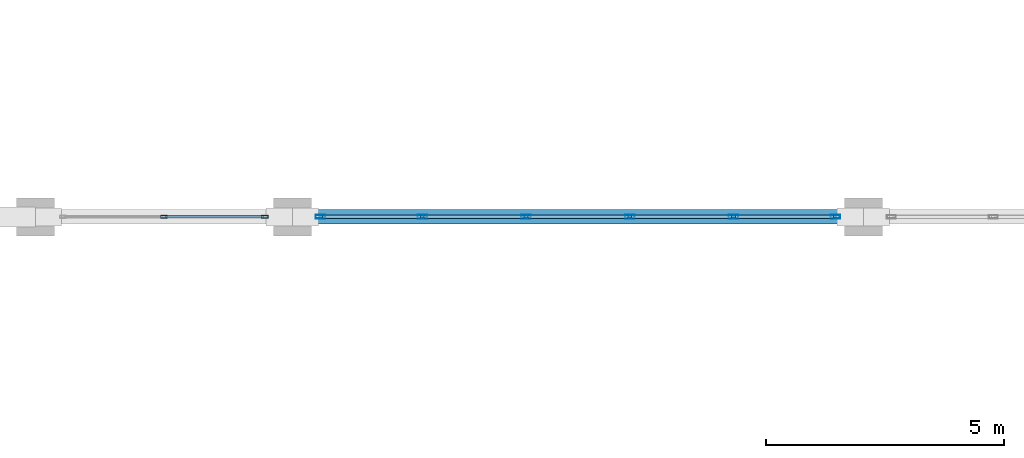
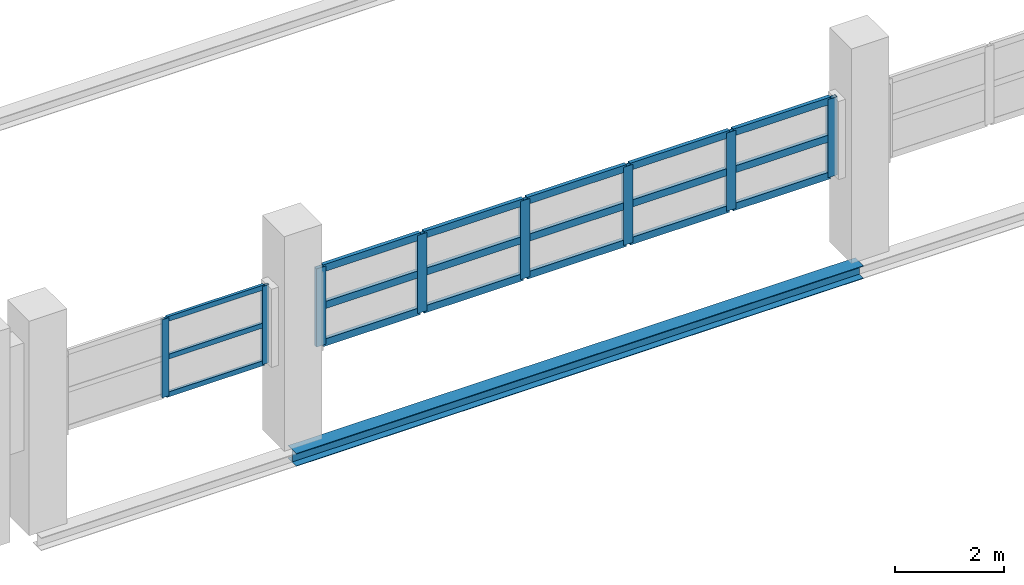
# One storey, part 57 of 86: 26 members, 1 beam, 2 elements without a shape of their own.
"""IFC4 building model written with IfcOpenShell, lengths in metres."""

import ifcopenshell
import ifcopenshell.guid

model = None  # the IFC model being written
_history = None  # IfcOwnerHistory: only IFC2X3 demands one
_inside = {}  # id of a spatial element -> (the spatial element, [elements in it])
_under = {}  # id of a project, library or spatial element -> (it, [spatial elements below it])
_declared = {}  # id of a project -> (the project, [libraries it declares])
_typed = {}  # id of a type object -> (the type object, [elements of that type])
_made_of = {}  # id of a material, layer set ... -> (it, [elements and type objects made of it])


def new_model(schema):
    """Start an empty IFC model of exactly this schema.

    Asked for "IFC4X3", IfcOpenShell would pick the latest addendum, in which some entities
    have other attributes; the version numbers below select the first issue.
    IFC2X3 requires an IfcOwnerHistory on every rooted entity: one is made here for all.
    """
    global model, _history
    if schema == "IFC4X3":
        model = ifcopenshell.file(schema_version=(4, 3, 0, 0))
    else:
        model = ifcopenshell.file(schema=schema)
    _inside.clear()
    _under.clear()
    _declared.clear()
    _typed.clear()
    _made_of.clear()
    _history = None
    if model.schema == "IFC2X3":
        org = make("IfcOrganization", Name="unknown")
        user = make(
            "IfcPersonAndOrganization",
            ThePerson=make("IfcPerson", FamilyName="unknown"),
            TheOrganization=org,
        )
        app = make(
            "IfcApplication",
            ApplicationDeveloper=org,
            Version="unknown",
            ApplicationFullName="unknown",
            ApplicationIdentifier="unknown",
        )
        _history = make(
            "IfcOwnerHistory",
            OwningUser=user,
            OwningApplication=app,
            ChangeAction="ADDED",
            CreationDate=0,
        )
    return model


def make(cls, **values):
    """One entity of the class cls with the attributes given. An attribute that is None is left unset."""
    return model.create_entity(
        cls, **{name: value for name, value in values.items() if value is not None}
    )


def rooted(cls, **values):
    """An entity with a GlobalId (a new one), such as an element, a storey or a relation."""
    return make(cls, GlobalId=ifcopenshell.guid.new(), OwnerHistory=_history, **values)


def si_unit(unit_type, name, prefix=None):
    """IfcSIUnit, for example si_unit("LENGTHUNIT", "METRE", prefix="MILLI")."""
    return make("IfcSIUnit", UnitType=unit_type, Prefix=prefix, Name=name)


def assignment(units):
    """IfcUnitAssignment: the units of a project."""
    return None if units is None else make("IfcUnitAssignment", Units=units)


def point(xyz):
    """IfcCartesianPoint."""
    return None if xyz is None else make("IfcCartesianPoint", Coordinates=xyz)


def direction(xyz):
    """IfcDirection."""
    return None if xyz is None else make("IfcDirection", DirectionRatios=xyz)


def frame(location, z_axis=None, x_axis=None):
    """IfcAxis2Placement3D, a coordinate frame: its origin and axes. An axis left out is left unset."""
    return make(
        "IfcAxis2Placement3D",
        Location=point(location),
        Axis=direction(z_axis),
        RefDirection=direction(x_axis),
    )


def frame_2d(location, x_axis=None):
    """IfcAxis2Placement2D, a coordinate frame in the plane: its origin and x axis."""
    return make(
        "IfcAxis2Placement2D", Location=point(location), RefDirection=direction(x_axis)
    )


def origin():
    """The frame at (0, 0, 0) with its axes left unset."""
    return frame((0.0, 0.0, 0.0))


def origin_2d():
    """The frame at (0, 0) in the plane with its x axis left unset."""
    return frame_2d((0.0, 0.0))


def place(relative_to, where):
    """IfcLocalPlacement: puts the frame where relative to a parent placement (None: the world)."""
    return make(
        "IfcLocalPlacement", PlacementRelTo=relative_to, RelativePlacement=where
    )


def context(
    kind, dimensions, precision=None, world=None, true_north=None, identifier=None
):
    """IfcGeometricRepresentationContext, for example the 3D "Model" context."""
    return make(
        "IfcGeometricRepresentationContext",
        ContextIdentifier=identifier,
        ContextType=kind,
        CoordinateSpaceDimension=dimensions,
        Precision=precision,
        WorldCoordinateSystem=world,
        TrueNorth=true_north,
    )


def subcontext(parent, identifier, kind, view, scale=None):
    """IfcGeometricRepresentationSubContext, for example "Body" below "Model"."""
    return make(
        "IfcGeometricRepresentationSubContext",
        ContextIdentifier=identifier,
        ContextType=kind,
        ParentContext=parent,
        TargetScale=scale,
        TargetView=view,
    )


def project(units=None, contexts=None):
    """IfcProject with its units and contexts."""
    return rooted(
        "IfcProject",
        Name="project",
        RepresentationContexts=contexts,
        UnitsInContext=assignment(units),
    )


def spatial(cls, under=None, at=None, **own):
    """A site, building, storey or space (cls), placed at a placement, below another one or the project."""
    s = rooted(cls, ObjectPlacement=at, **own)
    if under is not None:
        _under.setdefault(under.id(), (under, []))[1].append(s)
    return s


def profile(cls, at=None, kind="AREA", **sizes):
    """A parametric profile (cls). Its sizes go by their IFC names, for example OverallWidth=200.0."""
    return make(cls, ProfileType=kind, Position=at, **sizes)


def hollow_rectangle(**sizes):
    """IfcRectangleHollowProfileDef."""
    return profile("IfcRectangleHollowProfileDef", **sizes)


def i_section(**sizes):
    """IfcIShapeProfileDef."""
    return profile("IfcIShapeProfileDef", **sizes)


def extrude(swept, where, along, depth):
    """IfcExtrudedAreaSolid: the profile swept, set in the frame where, extruded along a direction by depth."""
    return make(
        "IfcExtrudedAreaSolid",
        SweptArea=swept,
        Position=where,
        ExtrudedDirection=direction(along),
        Depth=depth,
    )


def shape(context_of_items, identifier, shape_type, items):
    """IfcShapeRepresentation: the items that make up one representation, for example the "Body"."""
    return make(
        "IfcShapeRepresentation",
        ContextOfItems=context_of_items,
        RepresentationIdentifier=identifier,
        RepresentationType=shape_type,
        Items=items,
    )


def material(Name=None, Category=None):
    """IfcMaterial."""
    return make("IfcMaterial", Name=Name, Category=Category)


def layer(
    of_material, thickness, ventilated=None, Name=None, Category=None, Priority=None
):
    """IfcMaterialLayer: one layer of a wall or slab, of a material (None: an air gap)."""
    return make(
        "IfcMaterialLayer",
        Material=of_material,
        LayerThickness=thickness,
        IsVentilated=ventilated,
        Name=Name,
        Category=Category,
        Priority=Priority,
    )


def layer_set(layers, Name=None):
    """IfcMaterialLayerSet."""
    return make("IfcMaterialLayerSet", MaterialLayers=layers, LayerSetName=Name)


def material_profile(
    of_material, cross_section, Name=None, Category=None, Priority=None
):
    """IfcMaterialProfile: a cross section and its material."""
    return make(
        "IfcMaterialProfile",
        Name=Name,
        Material=of_material,
        Profile=cross_section,
        Priority=Priority,
        Category=Category,
    )


def profile_set(profiles, Name=None, composite=None):
    """IfcMaterialProfileSet."""
    return make(
        "IfcMaterialProfileSet",
        Name=Name,
        MaterialProfiles=profiles,
        CompositeProfile=composite,
    )


def made_of(thing, what):
    """Note that an element or type object is made of a material, layer set ...; save() writes the relation."""
    if what is not None:
        _made_of.setdefault(what.id(), (what, []))[1].append(thing)
    return thing


def type_object(cls, material=None, **own):
    """A type object (cls), such as IfcWallType, which elements share."""
    return made_of(rooted(cls, **own), material)


def element(
    cls,
    number,
    at=None,
    inside=None,
    cuts=None,
    type_object=None,
    material=None,
    context=None,
    identifier="Body",
    shape_type=None,
    held_by="IfcProductDefinitionShape",
    body=None,
    shapes=None,
    **own,
):
    """One element of the class cls, such as IfcWall. Its Tag is "e" and its number.

    at: its placement. inside: the storey or other place that contains it. cuts: it is an
    opening in that element (IfcRelVoidsElement). A single representation is given by context,
    identifier, shape_type and body (its items); several are given by shapes. held_by: the class
    of the entity that holds the representations. save() writes the other relations.
    """
    e = rooted(cls, Tag="e%d" % number, ObjectPlacement=at, **own)
    if body is not None:
        shapes = [shape(context, identifier, shape_type, body)]
    if shapes is not None:
        e.Representation = make(held_by, Representations=shapes)
    if inside is not None:
        _inside.setdefault(inside.id(), (inside, []))[1].append(e)
    if cuts is not None:
        rooted(
            "IfcRelVoidsElement", RelatingBuildingElement=cuts, RelatedOpeningElement=e
        )
    if type_object is not None:
        _typed.setdefault(type_object.id(), (type_object, []))[1].append(e)
    return made_of(e, material)


def aggregate(whole, parts):
    """IfcRelAggregates: a whole, such as a stair, and the parts it consists of."""
    return rooted("IfcRelAggregates", RelatingObject=whole, RelatedObjects=parts)


def save(model, path):
    """Write the relations noted so far, then the file.

    IfcRelAggregates (storeys below a building ...), IfcRelContainedInSpatialStructure (elements
    in a storey), IfcRelDefinesByType, IfcRelAssociatesMaterial and IfcRelDeclares: one each for
    every whole, place, type object, material and project.
    """
    for whole, parts in _under.values():
        aggregate(whole, parts)
    for where, things in _inside.values():
        rooted(
            "IfcRelContainedInSpatialStructure",
            RelatedElements=things,
            RelatingStructure=where,
        )
    for kind, things in _typed.values():
        rooted("IfcRelDefinesByType", RelatedObjects=things, RelatingType=kind)
    for what, things in _made_of.values():
        rooted("IfcRelAssociatesMaterial", RelatedObjects=things, RelatingMaterial=what)
    for by, libraries in _declared.values():
        rooted("IfcRelDeclares", RelatingContext=by, RelatedDefinitions=libraries)
    model.write(path)


model = new_model("IFC4")

# Units and contexts
model_context = context("Model", 3, precision=1e-05, world=origin(), true_north=direction((0.0, 1.0)))
body_context = subcontext(model_context, "Body", "Model", "MODEL_VIEW")
ifc_project = project(units=[si_unit("LENGTHUNIT", "METRE"), si_unit("AREAUNIT", "SQUARE_METRE"), si_unit("VOLUMEUNIT", "CUBIC_METRE"), si_unit("PLANEANGLEUNIT", "RADIAN"), si_unit("MASSUNIT", "GRAM", prefix="KILO")], contexts=[model_context])

# Site, building, storey
site_placement = place(None, origin())
site = spatial("IfcSite", under=ifc_project, at=site_placement, CompositionType="ELEMENT")
building_placement = place(site_placement, origin())
building = spatial("IfcBuilding", under=site, at=building_placement, Name="Zilviju Railside Exhibition Hall", CompositionType="ELEMENT")
storey_placement = place(building_placement, frame((0.0, 0.0, 12.60009765625)))
storey = spatial("IfcBuildingStorey", under=building, at=storey_placement, Name="L04", CompositionType="ELEMENT", Elevation=12.60009765625)

# Beam
ifc_material_1 = material(Name="Steel S355J2", Category="steel")
ifc_material_profile_1 = material_profile(ifc_material_1, i_section(OverallWidth=0.300048828125, OverallDepth=0.2900390625, WebThickness=0.008544921875, FlangeThickness=0.013916015625, at=origin_2d()), Name="HEA 300")
ifc_profile_set_1 = profile_set([ifc_material_profile_1], Name="Steel S355J2")
beam_type = type_object("IfcBeamType", Name="BM-HEA300", PredefinedType="SPANDREL", material=ifc_profile_set_1)
beam_placement = place(storey_placement, frame((132.0, 138.0, -0.485107421875), z_axis=(1.0, 0.0, 0.0), x_axis=(0.0, 1.0, 0.0)))
element("IfcBeam", 1, at=beam_placement, inside=storey, type_object=beam_type, Name="Primary Girder L04 Y=138.0 (132.0..144.0)", PredefinedType="SPANDREL", context=body_context, shape_type="SweptSolid", body=[
    extrude(i_section(OverallWidth=0.300048828125, OverallDepth=0.2900390625, WebThickness=0.008544921875, FlangeThickness=0.013916015625, at=origin_2d()), origin(), (0.0, 0.0, 1.0), 12.0),
])

# Curtain wall, members
ifc_material_2 = material(Name="Thermally broken aluminium-steel triple-glazed curtain wall", Category="steel")
ifc_layer_1 = layer(ifc_material_2, 0.179931640625)
ifc_layer_set_1 = layer_set([ifc_layer_1], Name="Thermally broken aluminium-steel triple-glazed curtain wall")
curtain_wall_type_1 = type_object("IfcCurtainWallType", Name="CW-BAY-05", PredefinedType="USERDEFINED", material=ifc_layer_set_1)
curtain_wall_1_placement = place(storey_placement, origin())
curtain_wall_1 = element("IfcCurtainWall", 2, at=curtain_wall_1_placement, inside=storey, type_object=curtain_wall_type_1, Name="North Hall Clerestory Curtain Wall L04 (127..132)", ObjectType="GLAZED CURTAIN WALL", PredefinedType="USERDEFINED")
ifc_material_3 = material(Name="Thermally broken anodized aluminium mullion", Category="aluminium")
ifc_material_profile_2 = material_profile(ifc_material_3, hollow_rectangle(XDim=0.06005859375, YDim=0.139892578125, WallThickness=0.0048828125, at=origin_2d()), Name="MULLION 140x60x5")
ifc_profile_set_2 = profile_set([ifc_material_profile_2], Name="Thermally broken anodized aluminium mullion")
member_type_1 = type_object("IfcMemberType", Name="CWM-60x140", PredefinedType="MULLION", material=ifc_profile_set_2)
member_1_placement = place(storey_placement, frame((129.300048828125, 138.0, 1.7998046875), z_axis=(0.0, 0.0, 1.0), x_axis=(0.0, 1.0, 0.0)))
member_1 = element("IfcMember", 3, at=member_1_placement, type_object=member_type_1, Name="CW-05 mullion 2", PredefinedType="MULLION", context=body_context, shape_type="SweptSolid", body=[
    extrude(hollow_rectangle(XDim=0.06005859375, YDim=0.139892578125, WallThickness=0.0048828125, at=origin_2d()), origin(), (0.0, 0.0, 1.0), 1.75),
])
member_2_placement = place(storey_placement, frame((131.419921875, 138.0, 1.7998046875), z_axis=(0.0, 0.0, 1.0), x_axis=(0.0, 1.0, 0.0)))
member_2 = element("IfcMember", 4, at=member_2_placement, type_object=member_type_1, Name="CW-05 mullion 3", PredefinedType="MULLION", context=body_context, shape_type="SweptSolid", body=[
    extrude(hollow_rectangle(XDim=0.06005859375, YDim=0.139892578125, WallThickness=0.0048828125, at=origin_2d()), origin(), (0.0, 0.0, 1.0), 1.75),
])

ifc_layer_2 = layer(ifc_material_2, 0.179931640625)
ifc_layer_set_2 = layer_set([ifc_layer_2], Name="Thermally broken aluminium-steel triple-glazed curtain wall")
curtain_wall_type_2 = type_object("IfcCurtainWallType", Name="CW-BAY-06", PredefinedType="USERDEFINED", material=ifc_layer_set_2)
curtain_wall_2_placement = place(storey_placement, origin())
curtain_wall_2 = element("IfcCurtainWall", 5, at=curtain_wall_2_placement, inside=storey, type_object=curtain_wall_type_2, Name="North Hall Clerestory Curtain Wall L04 (132..144)", ObjectType="GLAZED CURTAIN WALL", PredefinedType="USERDEFINED")
ifc_material_profile_3 = material_profile(ifc_material_3, hollow_rectangle(XDim=0.080078125, YDim=0.199951171875, WallThickness=0.0048828125, at=origin_2d()), Name="MULLION 200x80x5")
ifc_profile_set_3 = profile_set([ifc_material_profile_3], Name="Thermally broken anodized aluminium mullion")
member_type_2 = type_object("IfcMemberType", Name="CWM-80x200", PredefinedType="MULLION", material=ifc_profile_set_3)
member_3_placement = place(storey_placement, frame((132.590087890625, 138.0, 1.7998046875), z_axis=(0.0, 0.0, 1.0), x_axis=(0.0, 1.0, 0.0)))
member_3 = element("IfcMember", 6, at=member_3_placement, type_object=member_type_2, Name="CW-06 mullion 1", PredefinedType="MULLION", context=body_context, shape_type="SweptSolid", body=[
    extrude(hollow_rectangle(XDim=0.080078125, YDim=0.199951171875, WallThickness=0.0048828125, at=origin_2d()), origin(), (0.0, 0.0, 1.0), 1.75),
])
member_4_placement = place(storey_placement, frame((134.72998046875, 138.0, 1.7998046875), z_axis=(0.0, 0.0, 1.0), x_axis=(0.0, 1.0, 0.0)))
member_4 = element("IfcMember", 7, at=member_4_placement, type_object=member_type_2, Name="CW-06 mullion 2", PredefinedType="MULLION", context=body_context, shape_type="SweptSolid", body=[
    extrude(hollow_rectangle(XDim=0.080078125, YDim=0.199951171875, WallThickness=0.0048828125, at=origin_2d()), origin(), (0.0, 0.0, 1.0), 1.75),
])
member_5_placement = place(storey_placement, frame((136.909912109375, 138.0, 1.7998046875), z_axis=(0.0, 0.0, 1.0), x_axis=(0.0, 1.0, 0.0)))
member_5 = element("IfcMember", 8, at=member_5_placement, type_object=member_type_2, Name="CW-06 mullion 3", PredefinedType="MULLION", context=body_context, shape_type="SweptSolid", body=[
    extrude(hollow_rectangle(XDim=0.080078125, YDim=0.199951171875, WallThickness=0.0048828125, at=origin_2d()), origin(), (0.0, 0.0, 1.0), 1.75),
])
member_6_placement = place(storey_placement, frame((139.090087890625, 138.0, 1.7998046875), z_axis=(0.0, 0.0, 1.0), x_axis=(0.0, 1.0, 0.0)))
member_6 = element("IfcMember", 9, at=member_6_placement, type_object=member_type_2, Name="CW-06 mullion 4", PredefinedType="MULLION", context=body_context, shape_type="SweptSolid", body=[
    extrude(hollow_rectangle(XDim=0.080078125, YDim=0.199951171875, WallThickness=0.0048828125, at=origin_2d()), origin(), (0.0, 0.0, 1.0), 1.75),
])
member_7_placement = place(storey_placement, frame((141.27001953125, 138.0, 1.7998046875), z_axis=(0.0, 0.0, 1.0), x_axis=(0.0, 1.0, 0.0)))
member_7 = element("IfcMember", 10, at=member_7_placement, type_object=member_type_2, Name="CW-06 mullion 5", PredefinedType="MULLION", context=body_context, shape_type="SweptSolid", body=[
    extrude(hollow_rectangle(XDim=0.080078125, YDim=0.199951171875, WallThickness=0.0048828125, at=origin_2d()), origin(), (0.0, 0.0, 1.0), 1.75),
])
member_8_placement = place(storey_placement, frame((143.409912109375, 138.0, 1.7998046875), z_axis=(0.0, 0.0, 1.0), x_axis=(0.0, 1.0, 0.0)))
member_8 = element("IfcMember", 11, at=member_8_placement, type_object=member_type_2, Name="CW-06 mullion 6", PredefinedType="MULLION", context=body_context, shape_type="SweptSolid", body=[
    extrude(hollow_rectangle(XDim=0.080078125, YDim=0.199951171875, WallThickness=0.0048828125, at=origin_2d()), origin(), (0.0, 0.0, 1.0), 1.75),
])

# Member
ifc_material_4 = material(Name="Thermally broken anodized aluminium transom", Category="aluminium")
ifc_material_profile_4 = material_profile(ifc_material_4, hollow_rectangle(XDim=0.06005859375, YDim=0.110107421875, WallThickness=0.0048828125, at=origin_2d()), Name="TRANSOM 110x60x5")
ifc_profile_set_4 = profile_set([ifc_material_profile_4], Name="Thermally broken anodized aluminium transom")
member_type_3 = type_object("IfcMemberType", Name="CWT-60x110", PredefinedType="USERDEFINED", material=ifc_profile_set_4)
member_9_placement = place(storey_placement, frame((129.330078125, 138.0, 1.829833984375), z_axis=(1.0, 0.0, 0.0), x_axis=(0.0, 1.0, 0.0)))
member_9 = element("IfcMember", 12, at=member_9_placement, type_object=member_type_3, Name="CW-05 transom 2.1", ObjectType="TRANSOM", PredefinedType="USERDEFINED", context=body_context, shape_type="SweptSolid", body=[
    extrude(hollow_rectangle(XDim=0.06005859375, YDim=0.110107421875, WallThickness=0.0048828125, at=origin_2d()), origin(), (0.0, 0.0, 1.0), 2.059814453125),
])

member_10_placement = place(storey_placement, frame((129.330078125, 138.0, 2.6748046875), z_axis=(1.0, 0.0, 0.0), x_axis=(0.0, 1.0, 0.0)))
member_10 = element("IfcMember", 13, at=member_10_placement, type_object=member_type_3, Name="CW-05 transom 2.2", ObjectType="TRANSOM", PredefinedType="USERDEFINED", context=body_context, shape_type="SweptSolid", body=[
    extrude(hollow_rectangle(XDim=0.06005859375, YDim=0.110107421875, WallThickness=0.0048828125, at=origin_2d()), origin(), (0.0, 0.0, 1.0), 2.059814453125),
])

member_11_placement = place(storey_placement, frame((129.330078125, 138.0, 3.52001953125), z_axis=(1.0, 0.0, 0.0), x_axis=(0.0, 1.0, 0.0)))
member_11 = element("IfcMember", 14, at=member_11_placement, type_object=member_type_3, Name="CW-05 transom 2.3", ObjectType="TRANSOM", PredefinedType="USERDEFINED", context=body_context, shape_type="SweptSolid", body=[
    extrude(hollow_rectangle(XDim=0.06005859375, YDim=0.110107421875, WallThickness=0.0048828125, at=origin_2d()), origin(), (0.0, 0.0, 1.0), 2.059814453125),
])

aggregate(curtain_wall_1, [member_1, member_2, member_9, member_10, member_11])

ifc_material_profile_5 = material_profile(ifc_material_4, hollow_rectangle(XDim=0.080078125, YDim=0.159912109375, WallThickness=0.0048828125, at=origin_2d()), Name="TRANSOM 160x80x5")
ifc_profile_set_5 = profile_set([ifc_material_profile_5], Name="Thermally broken anodized aluminium transom")
member_type_4 = type_object("IfcMemberType", Name="CWT-80x160", PredefinedType="USERDEFINED", material=ifc_profile_set_5)
member_12_placement = place(storey_placement, frame((132.6298828125, 138.0, 1.83984375), z_axis=(1.0, 0.0, 0.0), x_axis=(0.0, 1.0, 0.0)))
member_12 = element("IfcMember", 15, at=member_12_placement, type_object=member_type_4, Name="CW-06 transom 1.1", ObjectType="TRANSOM", PredefinedType="USERDEFINED", context=body_context, shape_type="SweptSolid", body=[
    extrude(hollow_rectangle(XDim=0.080078125, YDim=0.159912109375, WallThickness=0.0048828125, at=origin_2d()), origin(), (0.0, 0.0, 1.0), 2.06005859375),
])

member_13_placement = place(storey_placement, frame((132.6298828125, 138.0, 2.6748046875), z_axis=(1.0, 0.0, 0.0), x_axis=(0.0, 1.0, 0.0)))
member_13 = element("IfcMember", 16, at=member_13_placement, type_object=member_type_4, Name="CW-06 transom 1.2", ObjectType="TRANSOM", PredefinedType="USERDEFINED", context=body_context, shape_type="SweptSolid", body=[
    extrude(hollow_rectangle(XDim=0.080078125, YDim=0.159912109375, WallThickness=0.0048828125, at=origin_2d()), origin(), (0.0, 0.0, 1.0), 2.06005859375),
])

member_14_placement = place(storey_placement, frame((132.6298828125, 138.0, 3.510009765625), z_axis=(1.0, 0.0, 0.0), x_axis=(0.0, 1.0, 0.0)))
member_14 = element("IfcMember", 17, at=member_14_placement, type_object=member_type_4, Name="CW-06 transom 1.3", ObjectType="TRANSOM", PredefinedType="USERDEFINED", context=body_context, shape_type="SweptSolid", body=[
    extrude(hollow_rectangle(XDim=0.080078125, YDim=0.159912109375, WallThickness=0.0048828125, at=origin_2d()), origin(), (0.0, 0.0, 1.0), 2.06005859375),
])

member_15_placement = place(storey_placement, frame((134.77001953125, 138.0, 1.83984375), z_axis=(1.0, 0.0, 0.0), x_axis=(0.0, 1.0, 0.0)))
member_15 = element("IfcMember", 18, at=member_15_placement, type_object=member_type_4, Name="CW-06 transom 2.1", ObjectType="TRANSOM", PredefinedType="USERDEFINED", context=body_context, shape_type="SweptSolid", body=[
    extrude(hollow_rectangle(XDim=0.080078125, YDim=0.159912109375, WallThickness=0.0048828125, at=origin_2d()), origin(), (0.0, 0.0, 1.0), 2.10009765625),
])

member_16_placement = place(storey_placement, frame((134.77001953125, 138.0, 2.6748046875), z_axis=(1.0, 0.0, 0.0), x_axis=(0.0, 1.0, 0.0)))
member_16 = element("IfcMember", 19, at=member_16_placement, type_object=member_type_4, Name="CW-06 transom 2.2", ObjectType="TRANSOM", PredefinedType="USERDEFINED", context=body_context, shape_type="SweptSolid", body=[
    extrude(hollow_rectangle(XDim=0.080078125, YDim=0.159912109375, WallThickness=0.0048828125, at=origin_2d()), origin(), (0.0, 0.0, 1.0), 2.10009765625),
])

member_17_placement = place(storey_placement, frame((134.77001953125, 138.0, 3.510009765625), z_axis=(1.0, 0.0, 0.0), x_axis=(0.0, 1.0, 0.0)))
member_17 = element("IfcMember", 20, at=member_17_placement, type_object=member_type_4, Name="CW-06 transom 2.3", ObjectType="TRANSOM", PredefinedType="USERDEFINED", context=body_context, shape_type="SweptSolid", body=[
    extrude(hollow_rectangle(XDim=0.080078125, YDim=0.159912109375, WallThickness=0.0048828125, at=origin_2d()), origin(), (0.0, 0.0, 1.0), 2.10009765625),
])

member_18_placement = place(storey_placement, frame((136.949951171875, 138.0, 1.83984375), z_axis=(1.0, 0.0, 0.0), x_axis=(0.0, 1.0, 0.0)))
member_18 = element("IfcMember", 21, at=member_18_placement, type_object=member_type_4, Name="CW-06 transom 3.1", ObjectType="TRANSOM", PredefinedType="USERDEFINED", context=body_context, shape_type="SweptSolid", body=[
    extrude(hollow_rectangle(XDim=0.080078125, YDim=0.159912109375, WallThickness=0.0048828125, at=origin_2d()), origin(), (0.0, 0.0, 1.0), 2.10009765625),
])

member_19_placement = place(storey_placement, frame((136.949951171875, 138.0, 2.6748046875), z_axis=(1.0, 0.0, 0.0), x_axis=(0.0, 1.0, 0.0)))
member_19 = element("IfcMember", 22, at=member_19_placement, type_object=member_type_4, Name="CW-06 transom 3.2", ObjectType="TRANSOM", PredefinedType="USERDEFINED", context=body_context, shape_type="SweptSolid", body=[
    extrude(hollow_rectangle(XDim=0.080078125, YDim=0.159912109375, WallThickness=0.0048828125, at=origin_2d()), origin(), (0.0, 0.0, 1.0), 2.10009765625),
])

member_20_placement = place(storey_placement, frame((136.949951171875, 138.0, 3.510009765625), z_axis=(1.0, 0.0, 0.0), x_axis=(0.0, 1.0, 0.0)))
member_20 = element("IfcMember", 23, at=member_20_placement, type_object=member_type_4, Name="CW-06 transom 3.3", ObjectType="TRANSOM", PredefinedType="USERDEFINED", context=body_context, shape_type="SweptSolid", body=[
    extrude(hollow_rectangle(XDim=0.080078125, YDim=0.159912109375, WallThickness=0.0048828125, at=origin_2d()), origin(), (0.0, 0.0, 1.0), 2.10009765625),
])

member_21_placement = place(storey_placement, frame((139.1298828125, 138.0, 1.83984375), z_axis=(1.0, 0.0, 0.0), x_axis=(0.0, 1.0, 0.0)))
member_21 = element("IfcMember", 24, at=member_21_placement, type_object=member_type_4, Name="CW-06 transom 4.1", ObjectType="TRANSOM", PredefinedType="USERDEFINED", context=body_context, shape_type="SweptSolid", body=[
    extrude(hollow_rectangle(XDim=0.080078125, YDim=0.159912109375, WallThickness=0.0048828125, at=origin_2d()), origin(), (0.0, 0.0, 1.0), 2.10009765625),
])

member_22_placement = place(storey_placement, frame((139.1298828125, 138.0, 2.6748046875), z_axis=(1.0, 0.0, 0.0), x_axis=(0.0, 1.0, 0.0)))
member_22 = element("IfcMember", 25, at=member_22_placement, type_object=member_type_4, Name="CW-06 transom 4.2", ObjectType="TRANSOM", PredefinedType="USERDEFINED", context=body_context, shape_type="SweptSolid", body=[
    extrude(hollow_rectangle(XDim=0.080078125, YDim=0.159912109375, WallThickness=0.0048828125, at=origin_2d()), origin(), (0.0, 0.0, 1.0), 2.10009765625),
])

member_23_placement = place(storey_placement, frame((139.1298828125, 138.0, 3.510009765625), z_axis=(1.0, 0.0, 0.0), x_axis=(0.0, 1.0, 0.0)))
member_23 = element("IfcMember", 26, at=member_23_placement, type_object=member_type_4, Name="CW-06 transom 4.3", ObjectType="TRANSOM", PredefinedType="USERDEFINED", context=body_context, shape_type="SweptSolid", body=[
    extrude(hollow_rectangle(XDim=0.080078125, YDim=0.159912109375, WallThickness=0.0048828125, at=origin_2d()), origin(), (0.0, 0.0, 1.0), 2.10009765625),
])

member_24_placement = place(storey_placement, frame((141.31005859375, 138.0, 1.83984375), z_axis=(1.0, 0.0, 0.0), x_axis=(0.0, 1.0, 0.0)))
member_24 = element("IfcMember", 27, at=member_24_placement, type_object=member_type_4, Name="CW-06 transom 5.1", ObjectType="TRANSOM", PredefinedType="USERDEFINED", context=body_context, shape_type="SweptSolid", body=[
    extrude(hollow_rectangle(XDim=0.080078125, YDim=0.159912109375, WallThickness=0.0048828125, at=origin_2d()), origin(), (0.0, 0.0, 1.0), 2.06005859375),
])

member_25_placement = place(storey_placement, frame((141.31005859375, 138.0, 2.6748046875), z_axis=(1.0, 0.0, 0.0), x_axis=(0.0, 1.0, 0.0)))
member_25 = element("IfcMember", 28, at=member_25_placement, type_object=member_type_4, Name="CW-06 transom 5.2", ObjectType="TRANSOM", PredefinedType="USERDEFINED", context=body_context, shape_type="SweptSolid", body=[
    extrude(hollow_rectangle(XDim=0.080078125, YDim=0.159912109375, WallThickness=0.0048828125, at=origin_2d()), origin(), (0.0, 0.0, 1.0), 2.06005859375),
])

member_26_placement = place(storey_placement, frame((141.31005859375, 138.0, 3.510009765625), z_axis=(1.0, 0.0, 0.0), x_axis=(0.0, 1.0, 0.0)))
member_26 = element("IfcMember", 29, at=member_26_placement, type_object=member_type_4, Name="CW-06 transom 5.3", ObjectType="TRANSOM", PredefinedType="USERDEFINED", context=body_context, shape_type="SweptSolid", body=[
    extrude(hollow_rectangle(XDim=0.080078125, YDim=0.159912109375, WallThickness=0.0048828125, at=origin_2d()), origin(), (0.0, 0.0, 1.0), 2.06005859375),
])

aggregate(curtain_wall_2, [member_3, member_4, member_5, member_6, member_7, member_8, member_12, member_13, member_14, member_15, member_16, member_17, member_18, member_19, member_20, member_21, member_22, member_23, member_24, member_25, member_26])

save(model, "model.ifc")
